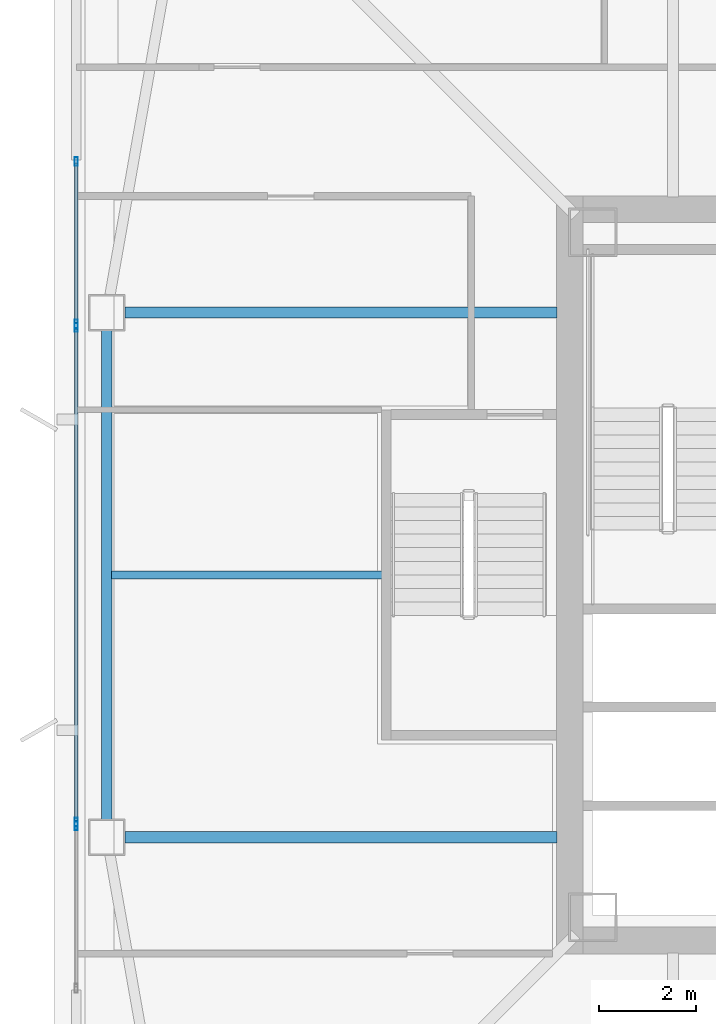
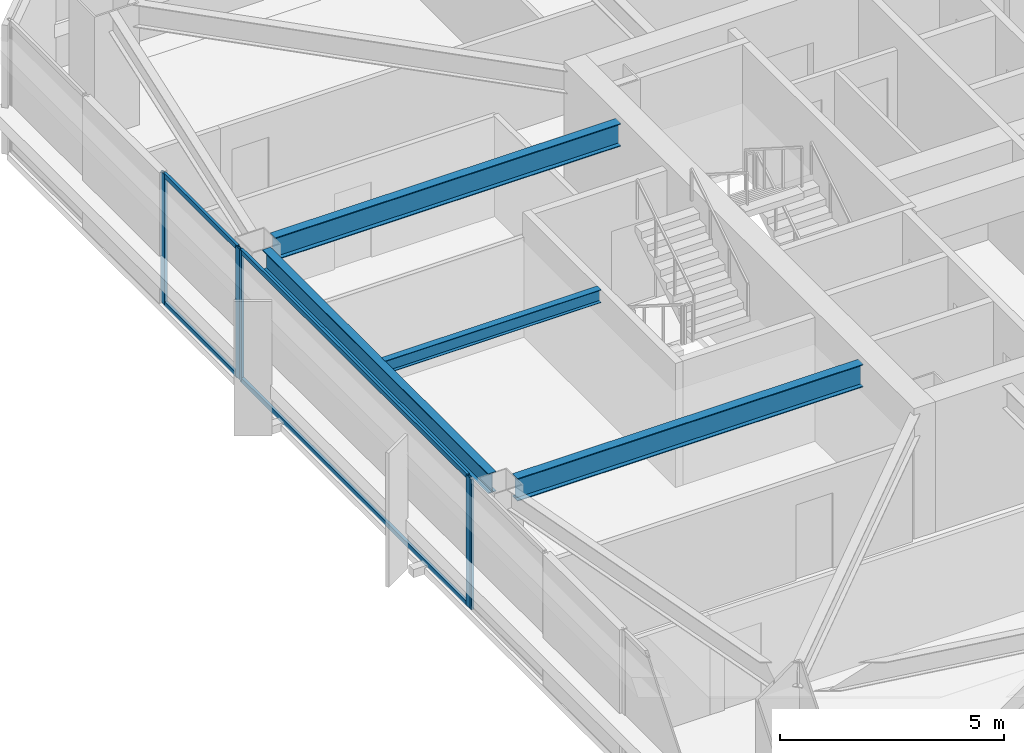
# One storey, part 8 of 46: 9 members, 4 beams, 3 elements without a shape of their own.
"""IFC4 building model written with IfcOpenShell, lengths in metres."""

from ifc_helpers import new_model, si_unit, direction, frame, origin, origin_2d, place, context, subcontext, project, spatial, hollow_rectangle, i_section, extrude, material, material_profile, profile_set, type_object, element, aggregate, save


model = new_model("IFC4")

# Units and contexts
model_context = context("Model", 3, precision=1e-05, world=origin(), true_north=direction((0.0, 1.0)))
body_context = subcontext(model_context, "Body", "Model", "MODEL_VIEW")
ifc_project = project(units=[si_unit("LENGTHUNIT", "METRE"), si_unit("AREAUNIT", "SQUARE_METRE"), si_unit("VOLUMEUNIT", "CUBIC_METRE"), si_unit("PLANEANGLEUNIT", "RADIAN"), si_unit("MASSUNIT", "GRAM", prefix="KILO")], contexts=[model_context])

# Site, building, storey
site_placement = place(None, origin())
site = spatial("IfcSite", under=ifc_project, at=site_placement, CompositionType="ELEMENT")
building_placement = place(site_placement, origin())
building = spatial("IfcBuilding", under=site, at=building_placement, Name="Tashvorn Skyway Center", CompositionType="ELEMENT")
storey_placement = place(building_placement, frame((0.0, 0.0, 167.64990234375)))
storey = spatial("IfcBuildingStorey", under=building, at=storey_placement, Name="L45", CompositionType="ELEMENT", Elevation=167.64990234375)

# Beams
ifc_material_1 = material(Name="Steel ASTM A992 Grade 50", Category="steel")
ifc_material_profile_1 = material_profile(ifc_material_1, i_section(OverallWidth=0.22998046875, OverallDepth=0.616943359375, WebThickness=0.01318359375, FlangeThickness=0.022216796875, at=origin_2d()), Name="W24X94")
ifc_profile_set_1 = profile_set([ifc_material_profile_1], Name="Steel ASTM A992 Grade 50")
beam_type_1 = type_object("IfcBeamType", Name="BM-BEAM-W24X94", PredefinedType="BEAM", material=ifc_profile_set_1)
for number, where, z_axis, x_axis, name in (
    (1, (25.320068359375, 37.39990234375, 3.0615234375), (1.0, 0.0, 0.0), (0.0, 1.0, 0.0), "Tower 1 L45 Primary Floor Girder FC-W1"),
    (2, (25.320068359375, 26.60009765625, 3.0615234375), (1.0, 0.0, 0.0), (0.0, 1.0, 0.0), "Tower 1 L45 Primary Floor Girder FC-W2"),
):
    element("IfcBeam", number, at=place(storey_placement, frame(where, z_axis=z_axis, x_axis=x_axis)), inside=storey, type_object=beam_type_1, Name=name, PredefinedType="BEAM", context=body_context, shape_type="SweptSolid", body=[
        extrude(i_section(OverallWidth=0.22998046875, OverallDepth=0.616943359375, WebThickness=0.01318359375, FlangeThickness=0.022216796875, at=origin_2d()), origin(), (0.0, 0.0, 1.0), 8.89990234375),
    ])
ifc_material_profile_2 = material_profile(ifc_material_1, i_section(OverallWidth=0.1708984375, OverallDepth=0.35498046875, WebThickness=0.007080078125, FlangeThickness=0.01171875, at=origin_2d()), Name="W14X34")
ifc_profile_set_2 = profile_set([ifc_material_profile_2], Name="Steel ASTM A992 Grade 50")
beam_type_2 = type_object("IfcBeamType", Name="BM-JOIST-W14X34", PredefinedType="JOIST", material=ifc_profile_set_2)
beam_1_placement = place(storey_placement, frame((30.610107421875, 32.0, 3.192626953125), z_axis=(-1.0, 0.0, 0.0), x_axis=(0.0, -1.0, 0.0)))
element("IfcBeam", 3, at=beam_1_placement, inside=storey, type_object=beam_type_2, Name="Tower 1 L45 Secondary Composite Joist JW", PredefinedType="JOIST", context=body_context, shape_type="SweptSolid", body=[
    extrude(i_section(OverallWidth=0.1708984375, OverallDepth=0.35498046875, WebThickness=0.007080078125, FlangeThickness=0.01171875, at=origin_2d()), origin(), (0.0, 0.0, 1.0), 5.5625),
])
ifc_material_profile_3 = material_profile(ifc_material_1, i_section(OverallWidth=0.2109375, OverallDepth=0.5390625, WebThickness=0.01171875, FlangeThickness=0.018798828125, at=origin_2d()), Name="W21X73")
ifc_profile_set_3 = profile_set([ifc_material_profile_3], Name="Steel ASTM A992 Grade 50")
beam_type_3 = type_object("IfcBeamType", Name="BM-SPANDREL-W21X73", PredefinedType="SPANDREL", material=ifc_profile_set_3)
beam_2_placement = place(storey_placement, frame((24.949951171875, 37.030029296875, 3.1005859375), z_axis=(0.0, -1.0, 0.0), x_axis=(1.0, 0.0, 0.0)))
element("IfcBeam", 4, at=beam_2_placement, inside=storey, type_object=beam_type_3, Name="Tower 1 L45 Spandrel Beam 11", PredefinedType="SPANDREL", context=body_context, shape_type="SweptSolid", body=[
    extrude(i_section(OverallWidth=0.2109375, OverallDepth=0.5390625, WebThickness=0.01171875, FlangeThickness=0.018798828125, at=origin_2d()), origin(), (0.0, 0.0, 1.0), 10.06005859375),
])

# Curtain wall, member
ifc_material_2 = material(Name="Thermally broken bronze-anodized aluminium 6063-T6", Category="aluminium")
curtain_wall_type = type_object("IfcCurtainWallType", Name="CW-CW-Z4", PredefinedType="NOTDEFINED", material=ifc_material_2)
curtain_wall_1_placement = place(storey_placement, origin())
curtain_wall_1 = element("IfcCurtainWall", 5, at=curtain_wall_1_placement, inside=storey, type_object=curtain_wall_type, Name="Tower 1 L45 West Unitised Curtain Wall Glazing Group 2", PredefinedType="NOTDEFINED")
ifc_material_profile_4 = material_profile(ifc_material_2, hollow_rectangle(XDim=0.070068359375, YDim=0.179931640625, WallThickness=0.00390625, at=origin_2d()), Name="ALU-MULL-70x180")
ifc_profile_set_4 = profile_set([ifc_material_profile_4], Name="Thermally broken bronze-anodized aluminium 6063-T6")
member_type_1 = type_object("IfcMemberType", Name="CWM-CW-Z4", PredefinedType="MULLION", material=ifc_profile_set_4)
member_1_placement = place(storey_placement, frame((24.320068359375, 26.83837890625, 0.0), z_axis=(0.0, 0.0, 1.0), x_axis=(-1.0, 0.0, 0.0)))
member_1 = element("IfcMember", 6, at=member_1_placement, type_object=member_type_1, Name="CW-Z4 mullion 2", PredefinedType="MULLION", context=body_context, shape_type="SweptSolid", body=[
    extrude(hollow_rectangle(XDim=0.070068359375, YDim=0.179931640625, WallThickness=0.00390625, at=origin_2d()), origin(), (0.0, 0.0, 1.0), 3.550048828125),
])
aggregate(curtain_wall_1, [member_1])

# Curtain wall, members
curtain_wall_2_placement = place(storey_placement, origin())
curtain_wall_2 = element("IfcCurtainWall", 7, at=curtain_wall_2_placement, inside=storey, type_object=curtain_wall_type, Name="Tower 1 L45 West Unitised Curtain Wall Glazing Group 3", PredefinedType="NOTDEFINED")
member_2_placement = place(storey_placement, frame((24.320068359375, 26.908203125, 0.0), z_axis=(0.0, 0.0, 1.0), x_axis=(-1.0, 0.0, 0.0)))
member_2 = element("IfcMember", 8, at=member_2_placement, type_object=member_type_1, Name="CW-Z4 mullion 1", PredefinedType="MULLION", context=body_context, shape_type="SweptSolid", body=[
    extrude(hollow_rectangle(XDim=0.070068359375, YDim=0.179931640625, WallThickness=0.00390625, at=origin_2d()), origin(), (0.0, 0.0, 1.0), 3.550048828125),
])
member_3_placement = place(storey_placement, frame((24.320068359375, 37.091796875, 0.0), z_axis=(0.0, 0.0, 1.0), x_axis=(-1.0, 0.0, 0.0)))
member_3 = element("IfcMember", 9, at=member_3_placement, type_object=member_type_1, Name="CW-Z4 mullion 2", PredefinedType="MULLION", context=body_context, shape_type="SweptSolid", body=[
    extrude(hollow_rectangle(XDim=0.070068359375, YDim=0.179931640625, WallThickness=0.00390625, at=origin_2d()), origin(), (0.0, 0.0, 1.0), 3.550048828125),
])

curtain_wall_3_placement = place(storey_placement, origin())
curtain_wall_3 = element("IfcCurtainWall", 10, at=curtain_wall_3_placement, inside=storey, type_object=curtain_wall_type, Name="Tower 1 L45 West Unitised Curtain Wall Glazing Group 4", PredefinedType="NOTDEFINED")
member_4_placement = place(storey_placement, frame((24.320068359375, 37.16162109375, 0.0), z_axis=(0.0, 0.0, 1.0), x_axis=(-1.0, 0.0, 0.0)))
member_4 = element("IfcMember", 11, at=member_4_placement, type_object=member_type_1, Name="CW-Z4 mullion 1", PredefinedType="MULLION", context=body_context, shape_type="SweptSolid", body=[
    extrude(hollow_rectangle(XDim=0.070068359375, YDim=0.179931640625, WallThickness=0.00390625, at=origin_2d()), origin(), (0.0, 0.0, 1.0), 3.550048828125),
])
member_5_placement = place(storey_placement, frame((24.320068359375, 40.509521484375, 0.0), z_axis=(0.0, 0.0, 1.0), x_axis=(-1.0, 0.0, 0.0)))
member_5 = element("IfcMember", 12, at=member_5_placement, type_object=member_type_1, Name="CW-Z4 mullion 2", PredefinedType="MULLION", context=body_context, shape_type="SweptSolid", body=[
    extrude(hollow_rectangle(XDim=0.070068359375, YDim=0.179931640625, WallThickness=0.00390625, at=origin_2d()), origin(), (0.0, 0.0, 1.0), 3.550048828125),
])

# Member
ifc_material_profile_5 = material_profile(ifc_material_2, hollow_rectangle(XDim=0.070068359375, YDim=0.1298828125, WallThickness=0.00390625, at=origin_2d()), Name="ALU-TRAN-70x130")
ifc_profile_set_5 = profile_set([ifc_material_profile_5], Name="Thermally broken bronze-anodized aluminium 6063-T6")
member_type_2 = type_object("IfcMemberType", Name="CWT-CW-Z4", PredefinedType="USERDEFINED", material=ifc_profile_set_5)
member_6_placement = place(storey_placement, frame((24.320068359375, 26.943359375, 0.03515625), z_axis=(0.0, 1.0, 0.0), x_axis=(-1.0, 0.0, 0.0)))
member_6 = element("IfcMember", 13, at=member_6_placement, type_object=member_type_2, Name="CW-Z4 transom 1.1", ObjectType="TRANSOM", PredefinedType="USERDEFINED", context=body_context, shape_type="SweptSolid", body=[
    extrude(hollow_rectangle(XDim=0.070068359375, YDim=0.1298828125, WallThickness=0.00390625, at=origin_2d()), origin(), (0.0, 0.0, 1.0), 10.11328125),
])

member_7_placement = place(storey_placement, frame((24.320068359375, 26.943359375, 3.51513671875), z_axis=(0.0, 1.0, 0.0), x_axis=(-1.0, 0.0, 0.0)))
member_7 = element("IfcMember", 14, at=member_7_placement, type_object=member_type_2, Name="CW-Z4 transom 1.2", ObjectType="TRANSOM", PredefinedType="USERDEFINED", context=body_context, shape_type="SweptSolid", body=[
    extrude(hollow_rectangle(XDim=0.070068359375, YDim=0.1298828125, WallThickness=0.00390625, at=origin_2d()), origin(), (0.0, 0.0, 1.0), 10.11328125),
])

aggregate(curtain_wall_2, [member_2, member_3, member_6, member_7])

member_8_placement = place(storey_placement, frame((24.320068359375, 37.19677734375, 0.03515625), z_axis=(0.0, 1.0, 0.0), x_axis=(-1.0, 0.0, 0.0)))
member_8 = element("IfcMember", 15, at=member_8_placement, type_object=member_type_2, Name="CW-Z4 transom 1.1", ObjectType="TRANSOM", PredefinedType="USERDEFINED", context=body_context, shape_type="SweptSolid", body=[
    extrude(hollow_rectangle(XDim=0.070068359375, YDim=0.1298828125, WallThickness=0.00390625, at=origin_2d()), origin(), (0.0, 0.0, 1.0), 3.277587890625),
])

member_9_placement = place(storey_placement, frame((24.320068359375, 37.19677734375, 3.51513671875), z_axis=(0.0, 1.0, 0.0), x_axis=(-1.0, 0.0, 0.0)))
member_9 = element("IfcMember", 16, at=member_9_placement, type_object=member_type_2, Name="CW-Z4 transom 1.2", ObjectType="TRANSOM", PredefinedType="USERDEFINED", context=body_context, shape_type="SweptSolid", body=[
    extrude(hollow_rectangle(XDim=0.070068359375, YDim=0.1298828125, WallThickness=0.00390625, at=origin_2d()), origin(), (0.0, 0.0, 1.0), 3.277587890625),
])

aggregate(curtain_wall_3, [member_4, member_5, member_8, member_9])

save(model, "model.ifc")
